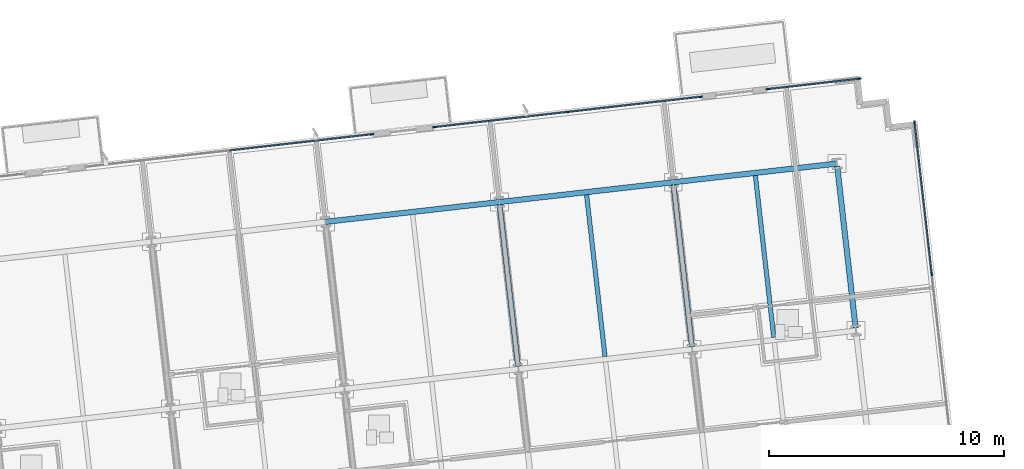
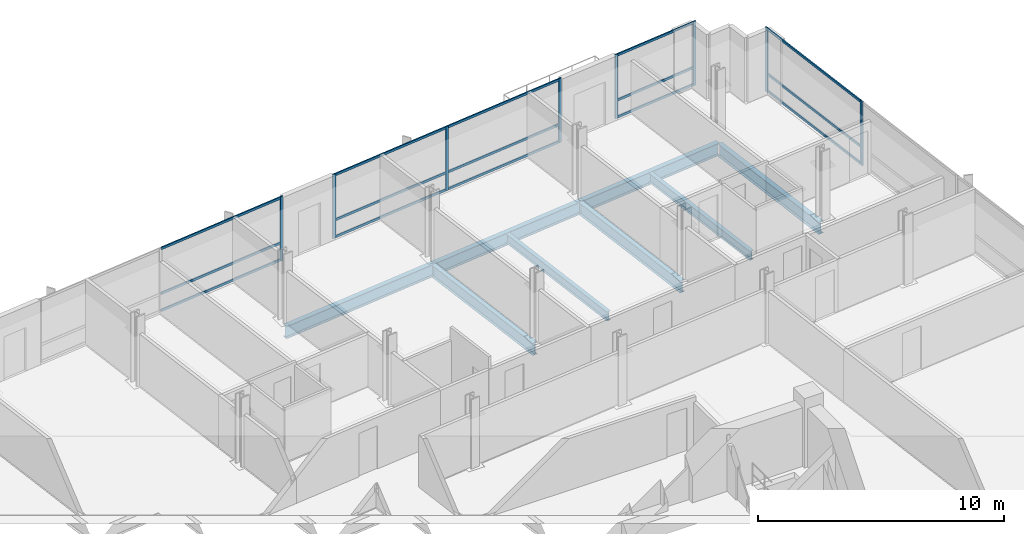
# One storey, part 7 of 16: 23 members, 8 beams, 4 elements without a shape of their own.
"""IFC4 building model written with IfcOpenShell, lengths in metres."""

from ifc_helpers import new_model, si_unit, direction, frame, origin, origin_2d, place, context, subcontext, project, spatial, rectangle, i_section, extrude, material, material_profile, profile_set, type_object, element, aggregate, save


model = new_model("IFC4")

# Units and contexts
model_context = context("Model", 3, precision=1e-05, world=origin(), true_north=direction((0.0, 1.0)))
body_context = subcontext(model_context, "Body", "Model", "MODEL_VIEW")
ifc_project = project(units=[si_unit("LENGTHUNIT", "METRE"), si_unit("AREAUNIT", "SQUARE_METRE"), si_unit("VOLUMEUNIT", "CUBIC_METRE"), si_unit("PLANEANGLEUNIT", "RADIAN"), si_unit("MASSUNIT", "GRAM", prefix="KILO")], contexts=[model_context])

# Site, building, storey
site_placement = place(None, origin())
site = spatial("IfcSite", under=ifc_project, at=site_placement, CompositionType="ELEMENT")
building_placement = place(site_placement, origin())
building = spatial("IfcBuilding", under=site, at=building_placement, Name="Solmavex Isthmus Hotel", CompositionType="ELEMENT")
storey_placement = place(building_placement, frame((0.0, 0.0, 215.85009765625)))
storey = spatial("IfcBuildingStorey", under=building, at=storey_placement, Name="L58", CompositionType="ELEMENT", Elevation=215.85009765625)

# Beams
ifc_material_1 = material(Name="Steel ASTM A992 Grade 50", Category="steel")
ifc_material_profile_1 = material_profile(ifc_material_1, i_section(OverallWidth=0.1904296875, OverallDepth=0.456787109375, WebThickness=0.009033203125, FlangeThickness=0.014404296875, FilletRadius=0.0126953125, at=origin_2d()), Name="W18X50")
ifc_profile_set_1 = profile_set([ifc_material_profile_1], Name="Steel ASTM A992 Grade 50")
beam_type_1 = type_object("IfcBeamType", Name="BM-BJ-W18X50", PredefinedType="JOIST", material=ifc_profile_set_1)
for number, where, z_axis, x_axis, name in (
    (1, (14.4072265625, 10.975830078125, -0.488525390625), (-0.113202453846, 0.993571942258, 0.0), (-0.993571942258, -0.113202453846, 0.0), "Secondary Floor Joist L58-J18"),
    (2, (21.587646484375, 11.7939453125, -0.488525390625), (-0.113202453846, 0.993571942258, 0.0), (-0.993571942258, -0.113202453846, 0.0), "Secondary Floor Joist L58-J21"),
):
    element("IfcBeam", number, at=place(storey_placement, frame(where, z_axis=z_axis, x_axis=x_axis)), inside=storey, type_object=beam_type_1, Name=name, PredefinedType="JOIST", context=body_context, shape_type="SweptSolid", body=[
        extrude(i_section(OverallWidth=0.1904296875, OverallDepth=0.456787109375, WebThickness=0.009033203125, FlangeThickness=0.014404296875, FilletRadius=0.0126953125, at=origin_2d()), origin(), (0.0, 0.0, 1.0), 6.9228515625),
    ])
ifc_material_profile_2 = material_profile(ifc_material_1, i_section(OverallWidth=0.227783203125, OverallDepth=0.602783203125, WebThickness=0.010498046875, FlangeThickness=0.014892578125, FilletRadius=0.01513671875, at=origin_2d()), Name="W24X68")
ifc_profile_set_2 = profile_set([ifc_material_profile_2], Name="Steel ASTM A992 Grade 50")
beam_type_2 = type_object("IfcBeamType", Name="BM-BM-W24X68", PredefinedType="BEAM", material=ifc_profile_set_2)
for number, where, z_axis, x_axis, name in (
    (3, (10.708251953125, 10.55419921875, -0.5615234375), (-0.113202453846, 0.993571942258, 0.0), (-0.993571942258, -0.113202453846, 0.0), "Floor Beam L58-VG39"),
    (4, (18.106201171875, 11.397216796875, -0.5615234375), (-0.113202453846, 0.993571942258, 0.0), (-0.993571942258, -0.113202453846, 0.0), "Floor Beam L58-VG42"),
):
    element("IfcBeam", number, at=place(storey_placement, frame(where, z_axis=z_axis, x_axis=x_axis)), inside=storey, type_object=beam_type_2, Name=name, PredefinedType="BEAM", context=body_context, shape_type="SweptSolid", body=[
        extrude(i_section(OverallWidth=0.227783203125, OverallDepth=0.602783203125, WebThickness=0.010498046875, FlangeThickness=0.014892578125, FilletRadius=0.01513671875, at=origin_2d()), origin(), (0.0, 0.0, 1.0), 6.9228515625),
    ])
ifc_material_profile_3 = material_profile(ifc_material_1, i_section(OverallWidth=0.230224609375, OverallDepth=0.617431640625, WebThickness=0.01318359375, FlangeThickness=0.022216796875, FilletRadius=0.01513671875, at=origin_2d()), Name="W24X94")
ifc_profile_set_3 = profile_set([ifc_material_profile_3], Name="Steel ASTM A992 Grade 50")
beam_type_3 = type_object("IfcBeamType", Name="BM-SP-W24X94", PredefinedType="SPANDREL", material=ifc_profile_set_3)
for number, where, z_axis, x_axis, name in (
    (5, (2.51318359375, 16.7041015625, -0.56884765625), (0.9935703463, 0.113216460607, 0.0), (-0.113216460607, 0.9935703463, 0.0), "Floor Girder L58-UG21"),
    (6, (9.911376953125, 17.547119140625, -0.56884765625), (0.9935703463, 0.113216460607, 0.0), (-0.113216460607, 0.9935703463, 0.0), "Floor Girder L58-UG22"),
):
    element("IfcBeam", number, at=place(storey_placement, frame(where, z_axis=z_axis, x_axis=x_axis)), inside=storey, type_object=beam_type_3, Name=name, PredefinedType="SPANDREL", context=body_context, shape_type="SweptSolid", body=[
        extrude(i_section(OverallWidth=0.230224609375, OverallDepth=0.617431640625, WebThickness=0.01318359375, FlangeThickness=0.022216796875, FilletRadius=0.01513671875, at=origin_2d()), origin(), (0.0, 0.0, 1.0), 7.446044921875),
    ])
beam_1_placement = place(storey_placement, frame((17.3095703125, 18.39013671875, -0.56884765625), z_axis=(0.99357359356, 0.113187959519, 0.0), x_axis=(-0.113187959519, 0.99357359356, 0.0)))
element("IfcBeam", 7, at=beam_1_placement, inside=storey, type_object=beam_type_3, Name="Floor Girder L58-UG23", PredefinedType="SPANDREL", context=body_context, shape_type="SweptSolid", body=[
    extrude(i_section(OverallWidth=0.230224609375, OverallDepth=0.617431640625, WebThickness=0.01318359375, FlangeThickness=0.022216796875, FilletRadius=0.01513671875, at=origin_2d()), origin(), (0.0, 0.0, 1.0), 7.0078125),
])
beam_2_placement = place(storey_placement, frame((25.0693359375, 12.1904296875, -0.56884765625), z_axis=(-0.113202453846, 0.993571942258, 0.0), x_axis=(-0.993571942258, -0.113202453846, 0.0)))
element("IfcBeam", 8, at=beam_2_placement, inside=storey, type_object=beam_type_3, Name="Floor Beam L58-VG45", PredefinedType="SPANDREL", context=body_context, shape_type="SweptSolid", body=[
    extrude(i_section(OverallWidth=0.230224609375, OverallDepth=0.617431640625, WebThickness=0.01318359375, FlangeThickness=0.022216796875, FilletRadius=0.01513671875, at=origin_2d()), origin(), (0.0, 0.0, 1.0), 6.9228515625),
])

# Curtain wall, member
ifc_material_2 = material(Name="Aluminium alloy 6063-T6", Category="aluminium")
curtain_wall_type = type_object("IfcCurtainWallType", Name="CW-SYS-06", PredefinedType="NOTDEFINED", material=ifc_material_2)
curtain_wall_1_placement = place(storey_placement, origin())
curtain_wall_1 = element("IfcCurtainWall", 9, at=curtain_wall_1_placement, inside=storey, type_object=curtain_wall_type, Name="Stick Curtain Wall CWL-L58-N2", PredefinedType="NOTDEFINED")
ifc_material_profile_4 = material_profile(ifc_material_2, rectangle(XDim=0.06005859375, YDim=0.139892578125, at=origin_2d()), Name="CWM-60X140")
ifc_profile_set_4 = profile_set([ifc_material_profile_4], Name="Aluminium alloy 6063-T6")
member_type_1 = type_object("IfcMemberType", Name="CW-SYS-06-MUL", PredefinedType="MULLION", material=ifc_profile_set_4)
member_1_placement = place(storey_placement, frame((4.496826171875, 20.432861328125, 0.0), z_axis=(0.0, 0.0, 1.0), x_axis=(-0.113202856801, 0.993571896348, 0.0)))
member_1 = element("IfcMember", 10, at=member_1_placement, type_object=member_type_1, Name="CW-06 mullion 3", PredefinedType="MULLION", context=body_context, shape_type="SweptSolid", body=[
    extrude(rectangle(XDim=0.06005859375, YDim=0.139892578125, at=origin_2d()), origin(), (0.0, 0.0, 1.0), 3.18994140625),
])

# Curtain wall, members
curtain_wall_2_placement = place(storey_placement, origin())
curtain_wall_2 = element("IfcCurtainWall", 11, at=curtain_wall_2_placement, inside=storey, type_object=curtain_wall_type, Name="Stick Curtain Wall CWL-L58-N3", PredefinedType="NOTDEFINED")
member_2_placement = place(storey_placement, frame((7.139892578125, 20.73388671875, 0.0), z_axis=(0.0, 0.0, 1.0), x_axis=(-0.113202972293, 0.993571883189, 0.0)))
member_2 = element("IfcMember", 12, at=member_2_placement, type_object=member_type_1, Name="CW-06 mullion 1", PredefinedType="MULLION", context=body_context, shape_type="SweptSolid", body=[
    extrude(rectangle(XDim=0.06005859375, YDim=0.139892578125, at=origin_2d()), origin(), (0.0, 0.0, 1.0), 3.18994140625),
])
member_3_placement = place(storey_placement, frame((12.811767578125, 21.380126953125, 0.0), z_axis=(0.0, 0.0, 1.0), x_axis=(-0.113202972293, 0.993571883189, 0.0)))
member_3 = element("IfcMember", 13, at=member_3_placement, type_object=member_type_1, Name="CW-06 mullion 2", PredefinedType="MULLION", context=body_context, shape_type="SweptSolid", body=[
    extrude(rectangle(XDim=0.06005859375, YDim=0.139892578125, at=origin_2d()), origin(), (0.0, 0.0, 1.0), 3.18994140625),
])
member_4_placement = place(storey_placement, frame((18.4833984375, 22.0263671875, 0.0), z_axis=(0.0, 0.0, 1.0), x_axis=(-0.113202972293, 0.993571883189, 0.0)))
member_4 = element("IfcMember", 14, at=member_4_placement, type_object=member_type_1, Name="CW-06 mullion 3", PredefinedType="MULLION", context=body_context, shape_type="SweptSolid", body=[
    extrude(rectangle(XDim=0.06005859375, YDim=0.139892578125, at=origin_2d()), origin(), (0.0, 0.0, 1.0), 3.18994140625),
])

curtain_wall_3_placement = place(storey_placement, origin())
curtain_wall_3 = element("IfcCurtainWall", 15, at=curtain_wall_3_placement, inside=storey, type_object=curtain_wall_type, Name="Stick Curtain Wall CWL-L58-N4", PredefinedType="NOTDEFINED")
member_5_placement = place(storey_placement, frame((21.324951171875, 22.35009765625, 0.0), z_axis=(0.0, 0.0, 1.0), x_axis=(-0.113204904629, 0.993571663026, 0.0)))
member_5 = element("IfcMember", 16, at=member_5_placement, type_object=member_type_1, Name="CW-06 mullion 1", PredefinedType="MULLION", context=body_context, shape_type="SweptSolid", body=[
    extrude(rectangle(XDim=0.06005859375, YDim=0.139892578125, at=origin_2d()), origin(), (0.0, 0.0, 1.0), 3.18994140625),
])
member_6_placement = place(storey_placement, frame((25.23974609375, 22.796142578125, 0.0), z_axis=(0.0, 0.0, 1.0), x_axis=(-0.113204904629, 0.993571663026, 0.0)))
member_6 = element("IfcMember", 17, at=member_6_placement, type_object=member_type_1, Name="CW-06 mullion 2", PredefinedType="MULLION", context=body_context, shape_type="SweptSolid", body=[
    extrude(rectangle(XDim=0.06005859375, YDim=0.139892578125, at=origin_2d()), origin(), (0.0, 0.0, 1.0), 3.18994140625),
])

curtain_wall_4_placement = place(storey_placement, origin())
curtain_wall_4 = element("IfcCurtainWall", 18, at=curtain_wall_4_placement, inside=storey, type_object=curtain_wall_type, Name="Stick Curtain Wall CWL-L58-E1", PredefinedType="NOTDEFINED")
member_7_placement = place(storey_placement, frame((28.309814453125, 14.490234375, 0.0), z_axis=(0.0, 0.0, 1.0), x_axis=(-0.993571836648, -0.11320338078, 0.0)))
member_7 = element("IfcMember", 19, at=member_7_placement, type_object=member_type_1, Name="CW-06 mullion 5", PredefinedType="MULLION", context=body_context, shape_type="SweptSolid", body=[
    extrude(rectangle(XDim=0.06005859375, YDim=0.139892578125, at=origin_2d()), origin(), (0.0, 0.0, 1.0), 3.18994140625),
])
member_8_placement = place(storey_placement, frame((27.574951171875, 20.9384765625, 0.0), z_axis=(0.0, 0.0, 1.0), x_axis=(-0.993571836648, -0.11320338078, 0.0)))
member_8 = element("IfcMember", 20, at=member_8_placement, type_object=member_type_1, Name="CW-06 mullion 6", PredefinedType="MULLION", context=body_context, shape_type="SweptSolid", body=[
    extrude(rectangle(XDim=0.06005859375, YDim=0.139892578125, at=origin_2d()), origin(), (0.0, 0.0, 1.0), 3.18994140625),
])

# Member
ifc_material_profile_5 = material_profile(ifc_material_2, rectangle(XDim=0.06005859375, YDim=0.114990234375, at=origin_2d()), Name="CWT-60X115")
ifc_profile_set_5 = profile_set([ifc_material_profile_5], Name="Aluminium alloy 6063-T6")
member_type_2 = type_object("IfcMemberType", Name="CW-SYS-06-TRN", PredefinedType="USERDEFINED", material=ifc_profile_set_5)
member_9_placement = place(storey_placement, frame((-1.550048828125, 19.743896484375, 0.057373046875), z_axis=(0.99357211414, 0.113200945245, 0.0), x_axis=(-0.113200945245, 0.99357211414, 0.0)))
member_9 = element("IfcMember", 21, at=member_9_placement, type_object=member_type_2, Name="CW-06 transom 2.1", ObjectType="TRANSOM", PredefinedType="USERDEFINED", context=body_context, shape_type="SweptSolid", body=[
    extrude(rectangle(XDim=0.06005859375, YDim=0.114990234375, at=origin_2d()), origin(), (0.0, 0.0, 1.0), 6.055908203125),
])

member_10_placement = place(storey_placement, frame((-1.550048828125, 19.743896484375, 0.89990234375), z_axis=(0.99357211414, 0.113200945245, 0.0), x_axis=(-0.113200945245, 0.99357211414, 0.0)))
member_10 = element("IfcMember", 22, at=member_10_placement, type_object=member_type_2, Name="CW-06 transom 2.2", ObjectType="TRANSOM", PredefinedType="USERDEFINED", context=body_context, shape_type="SweptSolid", body=[
    extrude(rectangle(XDim=0.06005859375, YDim=0.114990234375, at=origin_2d()), origin(), (0.0, 0.0, 1.0), 6.055908203125),
])

member_11_placement = place(storey_placement, frame((-1.550048828125, 19.743896484375, 3.13232421875), z_axis=(0.99357211414, 0.113200945245, 0.0), x_axis=(-0.113200945245, 0.99357211414, 0.0)))
member_11 = element("IfcMember", 23, at=member_11_placement, type_object=member_type_2, Name="CW-06 transom 2.3", ObjectType="TRANSOM", PredefinedType="USERDEFINED", context=body_context, shape_type="SweptSolid", body=[
    extrude(rectangle(XDim=0.06005859375, YDim=0.114990234375, at=origin_2d()), origin(), (0.0, 0.0, 1.0), 6.055908203125),
])

aggregate(curtain_wall_1, [member_1, member_9, member_10, member_11])

member_12_placement = place(storey_placement, frame((7.169677734375, 20.7373046875, 0.057373046875), z_axis=(0.993572039578, 0.113201599672, 0.0), x_axis=(-0.113201599672, 0.993572039578, 0.0)))
member_12 = element("IfcMember", 24, at=member_12_placement, type_object=member_type_2, Name="CW-06 transom 1.1", ObjectType="TRANSOM", PredefinedType="USERDEFINED", context=body_context, shape_type="SweptSolid", body=[
    extrude(rectangle(XDim=0.06005859375, YDim=0.114990234375, at=origin_2d()), origin(), (0.0, 0.0, 1.0), 5.6484375),
])

member_13_placement = place(storey_placement, frame((7.169677734375, 20.7373046875, 0.89990234375), z_axis=(0.993572039578, 0.113201599672, 0.0), x_axis=(-0.113201599672, 0.993572039578, 0.0)))
member_13 = element("IfcMember", 25, at=member_13_placement, type_object=member_type_2, Name="CW-06 transom 1.2", ObjectType="TRANSOM", PredefinedType="USERDEFINED", context=body_context, shape_type="SweptSolid", body=[
    extrude(rectangle(XDim=0.06005859375, YDim=0.114990234375, at=origin_2d()), origin(), (0.0, 0.0, 1.0), 5.6484375),
])

member_14_placement = place(storey_placement, frame((7.169677734375, 20.7373046875, 3.13232421875), z_axis=(0.993572039578, 0.113201599672, 0.0), x_axis=(-0.113201599672, 0.993572039578, 0.0)))
member_14 = element("IfcMember", 26, at=member_14_placement, type_object=member_type_2, Name="CW-06 transom 1.3", ObjectType="TRANSOM", PredefinedType="USERDEFINED", context=body_context, shape_type="SweptSolid", body=[
    extrude(rectangle(XDim=0.06005859375, YDim=0.114990234375, at=origin_2d()), origin(), (0.0, 0.0, 1.0), 5.6484375),
])

member_15_placement = place(storey_placement, frame((12.841552734375, 21.383544921875, 0.057373046875), z_axis=(0.993572039578, 0.113201599672, 0.0), x_axis=(-0.113201599672, 0.993572039578, 0.0)))
member_15 = element("IfcMember", 27, at=member_15_placement, type_object=member_type_2, Name="CW-06 transom 2.1", ObjectType="TRANSOM", PredefinedType="USERDEFINED", context=body_context, shape_type="SweptSolid", body=[
    extrude(rectangle(XDim=0.06005859375, YDim=0.114990234375, at=origin_2d()), origin(), (0.0, 0.0, 1.0), 5.6484375),
])

member_16_placement = place(storey_placement, frame((12.841552734375, 21.383544921875, 0.89990234375), z_axis=(0.993572039578, 0.113201599672, 0.0), x_axis=(-0.113201599672, 0.993572039578, 0.0)))
member_16 = element("IfcMember", 28, at=member_16_placement, type_object=member_type_2, Name="CW-06 transom 2.2", ObjectType="TRANSOM", PredefinedType="USERDEFINED", context=body_context, shape_type="SweptSolid", body=[
    extrude(rectangle(XDim=0.06005859375, YDim=0.114990234375, at=origin_2d()), origin(), (0.0, 0.0, 1.0), 5.6484375),
])

member_17_placement = place(storey_placement, frame((12.841552734375, 21.383544921875, 3.13232421875), z_axis=(0.993572039578, 0.113201599672, 0.0), x_axis=(-0.113201599672, 0.993572039578, 0.0)))
member_17 = element("IfcMember", 29, at=member_17_placement, type_object=member_type_2, Name="CW-06 transom 2.3", ObjectType="TRANSOM", PredefinedType="USERDEFINED", context=body_context, shape_type="SweptSolid", body=[
    extrude(rectangle(XDim=0.06005859375, YDim=0.114990234375, at=origin_2d()), origin(), (0.0, 0.0, 1.0), 5.6484375),
])

aggregate(curtain_wall_2, [member_2, member_3, member_4, member_12, member_13, member_14, member_15, member_16, member_17])

member_18_placement = place(storey_placement, frame((21.35498046875, 22.353515625, 0.057373046875), z_axis=(0.993572161808, 0.113200526858, 0.0), x_axis=(-0.113200526858, 0.993572161808, 0.0)))
member_18 = element("IfcMember", 30, at=member_18_placement, type_object=member_type_2, Name="CW-06 transom 1.1", ObjectType="TRANSOM", PredefinedType="USERDEFINED", context=body_context, shape_type="SweptSolid", body=[
    extrude(rectangle(XDim=0.06005859375, YDim=0.114990234375, at=origin_2d()), origin(), (0.0, 0.0, 1.0), 3.8798828125),
])

member_19_placement = place(storey_placement, frame((21.35498046875, 22.353515625, 0.89990234375), z_axis=(0.993572161808, 0.113200526858, 0.0), x_axis=(-0.113200526858, 0.993572161808, 0.0)))
member_19 = element("IfcMember", 31, at=member_19_placement, type_object=member_type_2, Name="CW-06 transom 1.2", ObjectType="TRANSOM", PredefinedType="USERDEFINED", context=body_context, shape_type="SweptSolid", body=[
    extrude(rectangle(XDim=0.06005859375, YDim=0.114990234375, at=origin_2d()), origin(), (0.0, 0.0, 1.0), 3.8798828125),
])

member_20_placement = place(storey_placement, frame((21.35498046875, 22.353515625, 3.13232421875), z_axis=(0.993572161808, 0.113200526858, 0.0), x_axis=(-0.113200526858, 0.993572161808, 0.0)))
member_20 = element("IfcMember", 32, at=member_20_placement, type_object=member_type_2, Name="CW-06 transom 1.3", ObjectType="TRANSOM", PredefinedType="USERDEFINED", context=body_context, shape_type="SweptSolid", body=[
    extrude(rectangle(XDim=0.06005859375, YDim=0.114990234375, at=origin_2d()), origin(), (0.0, 0.0, 1.0), 3.8798828125),
])

aggregate(curtain_wall_3, [member_5, member_6, member_18, member_19, member_20])

member_21_placement = place(storey_placement, frame((28.306396484375, 14.52001953125, 0.057373046875), z_axis=(-0.113223191888, 0.993569579254, 0.0), x_axis=(-0.993569579254, -0.113223191888, 0.0)))
member_21 = element("IfcMember", 33, at=member_21_placement, type_object=member_type_2, Name="CW-06 transom 5.1", ObjectType="TRANSOM", PredefinedType="USERDEFINED", context=body_context, shape_type="SweptSolid", body=[
    extrude(rectangle(XDim=0.06005859375, YDim=0.114990234375, at=origin_2d()), origin(), (0.0, 0.0, 1.0), 6.429931640625),
])

member_22_placement = place(storey_placement, frame((28.306396484375, 14.52001953125, 0.89990234375), z_axis=(-0.113223191888, 0.993569579254, 0.0), x_axis=(-0.993569579254, -0.113223191888, 0.0)))
member_22 = element("IfcMember", 34, at=member_22_placement, type_object=member_type_2, Name="CW-06 transom 5.2", ObjectType="TRANSOM", PredefinedType="USERDEFINED", context=body_context, shape_type="SweptSolid", body=[
    extrude(rectangle(XDim=0.06005859375, YDim=0.114990234375, at=origin_2d()), origin(), (0.0, 0.0, 1.0), 6.429931640625),
])

member_23_placement = place(storey_placement, frame((28.306396484375, 14.52001953125, 3.13232421875), z_axis=(-0.113223191888, 0.993569579254, 0.0), x_axis=(-0.993569579254, -0.113223191888, 0.0)))
member_23 = element("IfcMember", 35, at=member_23_placement, type_object=member_type_2, Name="CW-06 transom 5.3", ObjectType="TRANSOM", PredefinedType="USERDEFINED", context=body_context, shape_type="SweptSolid", body=[
    extrude(rectangle(XDim=0.06005859375, YDim=0.114990234375, at=origin_2d()), origin(), (0.0, 0.0, 1.0), 6.429931640625),
])

aggregate(curtain_wall_4, [member_7, member_8, member_21, member_22, member_23])

save(model, "model.ifc")
